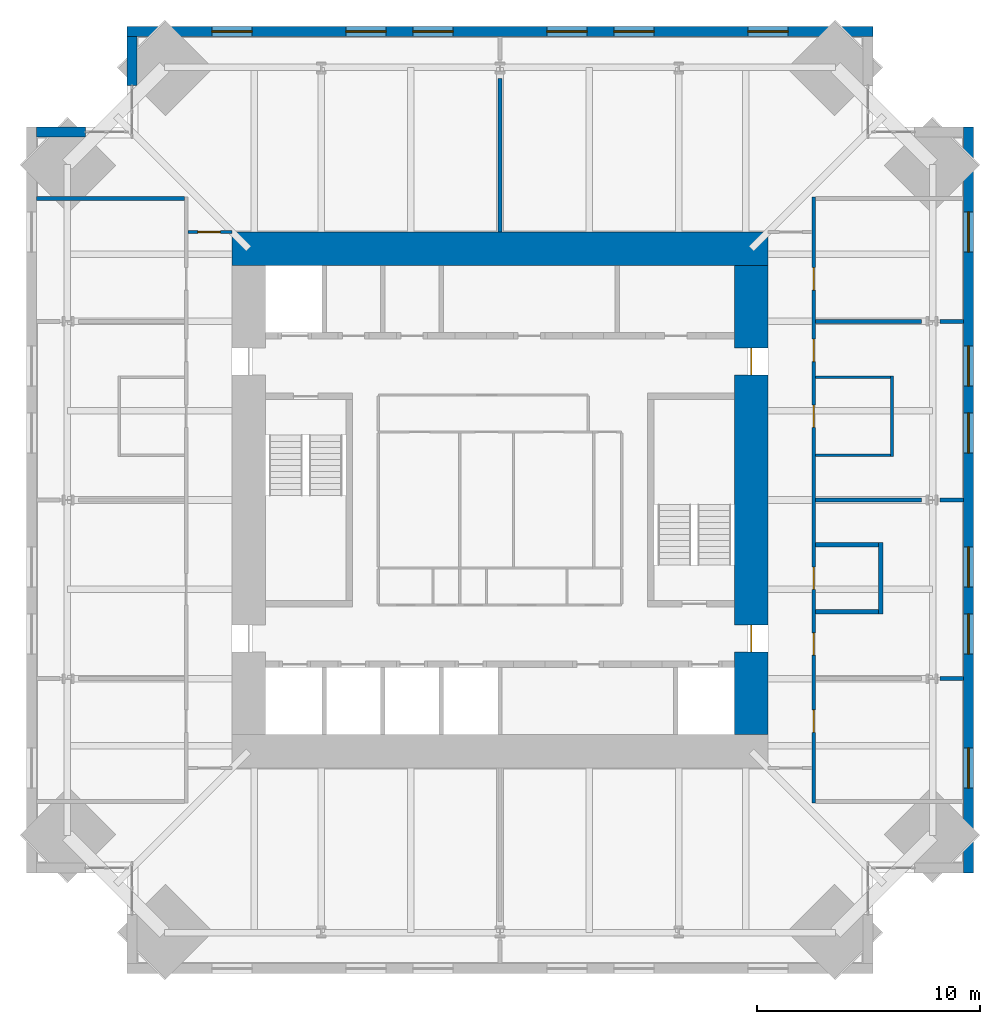
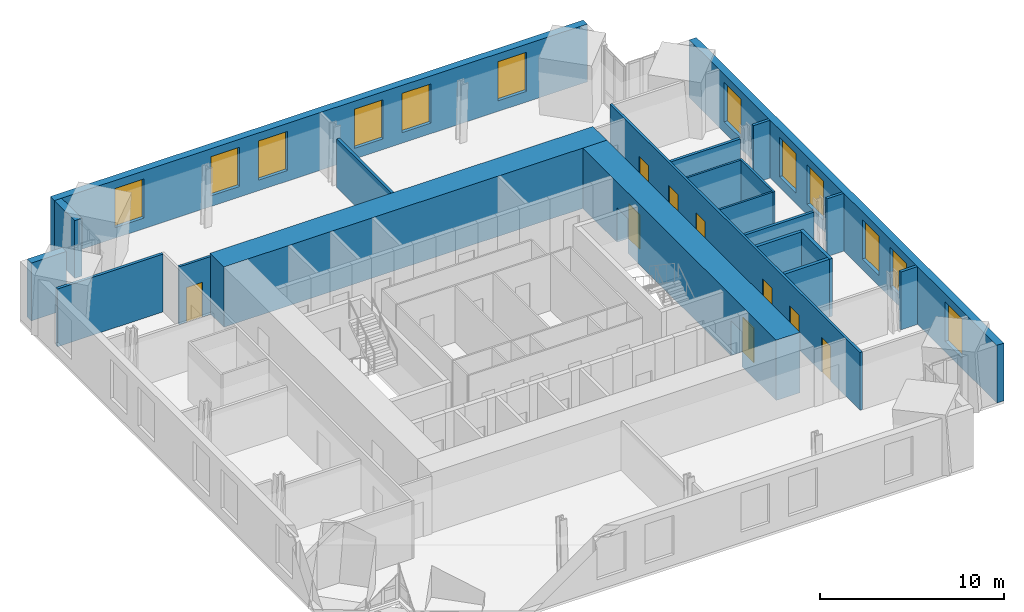
# One storey, part 13 of 15: 21 walls, 12 windows, 9 doors, 21 openings.
"""IFC4 building model written with IfcOpenShell, lengths in metres."""

from ifc_helpers import new_model, si_unit, direction, frame, frame_2d, origin, place, context, subcontext, project, spatial, rectangle, extrude, material, layer, layer_set, type_object, element, fill, save


model = new_model("IFC4")

# Units and contexts
model_context = context("Model", 3, precision=1e-05, world=origin(), true_north=direction((0.0, 1.0)))
body_context = subcontext(model_context, "Body", "Model", "MODEL_VIEW")
ifc_project = project(units=[si_unit("LENGTHUNIT", "METRE"), si_unit("AREAUNIT", "SQUARE_METRE"), si_unit("VOLUMEUNIT", "CUBIC_METRE"), si_unit("PLANEANGLEUNIT", "RADIAN"), si_unit("MASSUNIT", "GRAM", prefix="KILO")], contexts=[model_context])

# Site, building, storey
site_placement = place(None, origin())
site = spatial("IfcSite", under=ifc_project, at=site_placement, CompositionType="ELEMENT")
building_placement = place(site_placement, origin())
building = spatial("IfcBuilding", under=site, at=building_placement, Name="Peilmerk Tower", CompositionType="ELEMENT")
storey_placement = place(building_placement, frame((0.0, 0.0, 285.800048828125)))
storey = spatial("IfcBuildingStorey", under=building, at=storey_placement, Name="L64", CompositionType="ELEMENT", Elevation=285.800048828125)

# Wall, openings, windows
ifc_material_1 = material(Name="Precast concrete C45/55, board-marked finish", Category="concrete")
ifc_layer_1 = layer(ifc_material_1, 0.449951171875)
ifc_layer_set_1 = layer_set([ifc_layer_1], Name="Precast concrete C45/55, board-marked finish")
wall_type_1 = type_object("IfcWallType", Name="EW1 450 precast concrete facade wall, board-marked", PredefinedType="SOLIDWALL", material=ifc_layer_set_1)
wall_1_placement = place(storey_placement, frame((16.699951171875, 20.97509765625, 0.0), z_axis=(0.0, 0.0, 1.0), x_axis=(-1.0, 0.0, 0.0)))
wall_1 = element("IfcWall", 1, at=wall_1_placement, inside=storey, type_object=wall_type_1, Name="Facade wall N L64", PredefinedType="SOLIDWALL", context=body_context, shape_type="SweptSolid", body=[
    extrude(rectangle(XDim=33.39990234375, YDim=0.449951171875, at=frame_2d((16.699951171875, 0.0))), origin(), (0.0, 0.0, 1.0), 3.829833984375),
])
opening_1_placement = place(wall_1_placement, frame((3.800048828125, 0.0, 0.699951171875)))
opening_1 = element("IfcOpeningElement", 2, at=opening_1_placement, cuts=wall_1, Name="Opening W1", PredefinedType="OPENING", context=body_context, shape_type="SweptSolid", body=[
    extrude(rectangle(XDim=1.800048828125, YDim=2.60009765625, at=frame_2d((0.89990234375, 1.300048828125))), frame((0.0, 0.23486328125, 0.0), z_axis=(0.0, -1.0, 0.0), x_axis=(1.0, 0.0, 0.0)), (0.0, 0.0, 1.0), 0.469970703125),
])
opening_2_placement = place(wall_1_placement, frame((9.800048828125, 0.0, 0.699951171875)))
opening_2 = element("IfcOpeningElement", 3, at=opening_2_placement, cuts=wall_1, Name="Opening W1", PredefinedType="OPENING", context=body_context, shape_type="SweptSolid", body=[
    extrude(rectangle(XDim=1.800048828125, YDim=2.60009765625, at=frame_2d((0.89990234375, 1.300048828125))), frame((0.0, 0.23486328125, 0.0), z_axis=(0.0, -1.0, 0.0), x_axis=(1.0, 0.0, 0.0)), (0.0, 0.0, 1.0), 0.469970703125),
])
opening_3_placement = place(wall_1_placement, frame((12.800048828125, 0.0, 0.699951171875)))
opening_3 = element("IfcOpeningElement", 4, at=opening_3_placement, cuts=wall_1, Name="Opening W1", PredefinedType="OPENING", context=body_context, shape_type="SweptSolid", body=[
    extrude(rectangle(XDim=1.800048828125, YDim=2.60009765625, at=frame_2d((0.89990234375, 1.300048828125))), frame((0.0, 0.23486328125, 0.0), z_axis=(0.0, -1.0, 0.0), x_axis=(1.0, 0.0, 0.0)), (0.0, 0.0, 1.0), 0.469970703125),
])
opening_4_placement = place(wall_1_placement, frame((18.800048828125, 0.0, 0.699951171875)))
opening_4 = element("IfcOpeningElement", 5, at=opening_4_placement, cuts=wall_1, Name="Opening W1", PredefinedType="OPENING", context=body_context, shape_type="SweptSolid", body=[
    extrude(rectangle(XDim=1.800048828125, YDim=2.60009765625, at=frame_2d((0.89990234375, 1.300048828125))), frame((0.0, 0.23486328125, 0.0), z_axis=(0.0, -1.0, 0.0), x_axis=(1.0, 0.0, 0.0)), (0.0, 0.0, 1.0), 0.469970703125),
])
opening_5_placement = place(wall_1_placement, frame((21.800048828125, 0.0, 0.699951171875)))
opening_5 = element("IfcOpeningElement", 6, at=opening_5_placement, cuts=wall_1, Name="Opening W1", PredefinedType="OPENING", context=body_context, shape_type="SweptSolid", body=[
    extrude(rectangle(XDim=1.800048828125, YDim=2.60009765625, at=frame_2d((0.89990234375, 1.300048828125))), frame((0.0, 0.23486328125, 0.0), z_axis=(0.0, -1.0, 0.0), x_axis=(1.0, 0.0, 0.0)), (0.0, 0.0, 1.0), 0.469970703125),
])
opening_6_placement = place(wall_1_placement, frame((27.800048828125, 0.0, 0.699951171875)))
opening_6 = element("IfcOpeningElement", 7, at=opening_6_placement, cuts=wall_1, Name="Opening W1", PredefinedType="OPENING", context=body_context, shape_type="SweptSolid", body=[
    extrude(rectangle(XDim=1.800048828125, YDim=2.60009765625, at=frame_2d((0.89990234375, 1.300048828125))), frame((0.0, 0.23486328125, 0.0), z_axis=(0.0, -1.0, 0.0), x_axis=(1.0, 0.0, 0.0)), (0.0, 0.0, 1.0), 0.469970703125),
])
ifc_material_2 = material(Name="Aluminium frame, clear double glazing", Category="aluminium")
window_type = type_object("IfcWindowType", Name="W1 1800x2600 office window", PartitioningType="SINGLE_PANEL", PredefinedType="WINDOW", material=ifc_material_2)
window_1_placement = place(opening_1_placement, origin())
window_1 = element("IfcWindow", 8, at=window_1_placement, inside=storey, type_object=window_type, Name="Window W1 L64", OverallHeight=2.60009765625, OverallWidth=1.800048828125, PartitioningType="SINGLE_PANEL", PredefinedType="WINDOW", context=body_context, shape_type="SweptSolid", body=[
    extrude(rectangle(XDim=1.800048828125, YDim=2.60009765625, at=frame_2d((0.89990234375, 1.300048828125))), frame((0.0, 0.030029296875, 0.0), z_axis=(0.0, -1.0, 0.0), x_axis=(1.0, 0.0, 0.0)), (0.0, 0.0, 1.0), 0.06005859375),
])
fill(opening_1, window_1)
window_2_placement = place(opening_2_placement, origin())
window_2 = element("IfcWindow", 9, at=window_2_placement, inside=storey, type_object=window_type, Name="Window W1 L64", OverallHeight=2.60009765625, OverallWidth=1.800048828125, PartitioningType="SINGLE_PANEL", PredefinedType="WINDOW", context=body_context, shape_type="SweptSolid", body=[
    extrude(rectangle(XDim=1.800048828125, YDim=2.60009765625, at=frame_2d((0.89990234375, 1.300048828125))), frame((0.0, 0.030029296875, 0.0), z_axis=(0.0, -1.0, 0.0), x_axis=(1.0, 0.0, 0.0)), (0.0, 0.0, 1.0), 0.06005859375),
])
fill(opening_2, window_2)
window_3_placement = place(opening_3_placement, origin())
window_3 = element("IfcWindow", 10, at=window_3_placement, inside=storey, type_object=window_type, Name="Window W1 L64", OverallHeight=2.60009765625, OverallWidth=1.800048828125, PartitioningType="SINGLE_PANEL", PredefinedType="WINDOW", context=body_context, shape_type="SweptSolid", body=[
    extrude(rectangle(XDim=1.800048828125, YDim=2.60009765625, at=frame_2d((0.89990234375, 1.300048828125))), frame((0.0, 0.030029296875, 0.0), z_axis=(0.0, -1.0, 0.0), x_axis=(1.0, 0.0, 0.0)), (0.0, 0.0, 1.0), 0.06005859375),
])
fill(opening_3, window_3)
window_4_placement = place(opening_4_placement, origin())
window_4 = element("IfcWindow", 11, at=window_4_placement, inside=storey, type_object=window_type, Name="Window W1 L64", OverallHeight=2.60009765625, OverallWidth=1.800048828125, PartitioningType="SINGLE_PANEL", PredefinedType="WINDOW", context=body_context, shape_type="SweptSolid", body=[
    extrude(rectangle(XDim=1.800048828125, YDim=2.60009765625, at=frame_2d((0.89990234375, 1.300048828125))), frame((0.0, 0.030029296875, 0.0), z_axis=(0.0, -1.0, 0.0), x_axis=(1.0, 0.0, 0.0)), (0.0, 0.0, 1.0), 0.06005859375),
])
fill(opening_4, window_4)
window_5_placement = place(opening_5_placement, origin())
window_5 = element("IfcWindow", 12, at=window_5_placement, inside=storey, type_object=window_type, Name="Window W1 L64", OverallHeight=2.60009765625, OverallWidth=1.800048828125, PartitioningType="SINGLE_PANEL", PredefinedType="WINDOW", context=body_context, shape_type="SweptSolid", body=[
    extrude(rectangle(XDim=1.800048828125, YDim=2.60009765625, at=frame_2d((0.89990234375, 1.300048828125))), frame((0.0, 0.030029296875, 0.0), z_axis=(0.0, -1.0, 0.0), x_axis=(1.0, 0.0, 0.0)), (0.0, 0.0, 1.0), 0.06005859375),
])
fill(opening_5, window_5)
window_6_placement = place(opening_6_placement, origin())
window_6 = element("IfcWindow", 13, at=window_6_placement, inside=storey, type_object=window_type, Name="Window W1 L64", OverallHeight=2.60009765625, OverallWidth=1.800048828125, PartitioningType="SINGLE_PANEL", PredefinedType="WINDOW", context=body_context, shape_type="SweptSolid", body=[
    extrude(rectangle(XDim=1.800048828125, YDim=2.60009765625, at=frame_2d((0.89990234375, 1.300048828125))), frame((0.0, 0.030029296875, 0.0), z_axis=(0.0, -1.0, 0.0), x_axis=(1.0, 0.0, 0.0)), (0.0, 0.0, 1.0), 0.06005859375),
])
fill(opening_6, window_6)

wall_2_placement = place(storey_placement, frame((20.97509765625, -16.699951171875, 0.0), z_axis=(0.0, 0.0, 1.0), x_axis=(0.0, 1.0, 0.0)))
wall_2 = element("IfcWall", 14, at=wall_2_placement, inside=storey, type_object=wall_type_1, Name="Facade wall E L64", PredefinedType="SOLIDWALL", context=body_context, shape_type="SweptSolid", body=[
    extrude(rectangle(XDim=33.39990234375, YDim=0.449951171875, at=frame_2d((16.699951171875, 0.0))), origin(), (0.0, 0.0, 1.0), 3.829833984375),
])
opening_7_placement = place(wall_2_placement, frame((3.800048828125, 0.0, 0.699951171875)))
opening_7 = element("IfcOpeningElement", 15, at=opening_7_placement, cuts=wall_2, Name="Opening W1", PredefinedType="OPENING", context=body_context, shape_type="SweptSolid", body=[
    extrude(rectangle(XDim=1.800048828125, YDim=2.60009765625, at=frame_2d((0.89990234375, 1.300048828125))), frame((0.0, 0.23486328125, 0.0), z_axis=(0.0, -1.0, 0.0), x_axis=(1.0, 0.0, 0.0)), (0.0, 0.0, 1.0), 0.469970703125),
])
opening_8_placement = place(wall_2_placement, frame((9.800048828125, 0.0, 0.699951171875)))
opening_8 = element("IfcOpeningElement", 16, at=opening_8_placement, cuts=wall_2, Name="Opening W1", PredefinedType="OPENING", context=body_context, shape_type="SweptSolid", body=[
    extrude(rectangle(XDim=1.800048828125, YDim=2.60009765625, at=frame_2d((0.89990234375, 1.300048828125))), frame((0.0, 0.23486328125, 0.0), z_axis=(0.0, -1.0, 0.0), x_axis=(1.0, 0.0, 0.0)), (0.0, 0.0, 1.0), 0.469970703125),
])
opening_9_placement = place(wall_2_placement, frame((12.800048828125, 0.0, 0.699951171875)))
opening_9 = element("IfcOpeningElement", 17, at=opening_9_placement, cuts=wall_2, Name="Opening W1", PredefinedType="OPENING", context=body_context, shape_type="SweptSolid", body=[
    extrude(rectangle(XDim=1.800048828125, YDim=2.60009765625, at=frame_2d((0.89990234375, 1.300048828125))), frame((0.0, 0.23486328125, 0.0), z_axis=(0.0, -1.0, 0.0), x_axis=(1.0, 0.0, 0.0)), (0.0, 0.0, 1.0), 0.469970703125),
])
opening_10_placement = place(wall_2_placement, frame((18.800048828125, 0.0, 0.699951171875)))
opening_10 = element("IfcOpeningElement", 18, at=opening_10_placement, cuts=wall_2, Name="Opening W1", PredefinedType="OPENING", context=body_context, shape_type="SweptSolid", body=[
    extrude(rectangle(XDim=1.800048828125, YDim=2.60009765625, at=frame_2d((0.89990234375, 1.300048828125))), frame((0.0, 0.23486328125, 0.0), z_axis=(0.0, -1.0, 0.0), x_axis=(1.0, 0.0, 0.0)), (0.0, 0.0, 1.0), 0.469970703125),
])
opening_11_placement = place(wall_2_placement, frame((21.800048828125, 0.0, 0.699951171875)))
opening_11 = element("IfcOpeningElement", 19, at=opening_11_placement, cuts=wall_2, Name="Opening W1", PredefinedType="OPENING", context=body_context, shape_type="SweptSolid", body=[
    extrude(rectangle(XDim=1.800048828125, YDim=2.60009765625, at=frame_2d((0.89990234375, 1.300048828125))), frame((0.0, 0.23486328125, 0.0), z_axis=(0.0, -1.0, 0.0), x_axis=(1.0, 0.0, 0.0)), (0.0, 0.0, 1.0), 0.469970703125),
])
opening_12_placement = place(wall_2_placement, frame((27.800048828125, 0.0, 0.699951171875)))
opening_12 = element("IfcOpeningElement", 20, at=opening_12_placement, cuts=wall_2, Name="Opening W1", PredefinedType="OPENING", context=body_context, shape_type="SweptSolid", body=[
    extrude(rectangle(XDim=1.800048828125, YDim=2.60009765625, at=frame_2d((0.89990234375, 1.300048828125))), frame((0.0, 0.23486328125, 0.0), z_axis=(0.0, -1.0, 0.0), x_axis=(1.0, 0.0, 0.0)), (0.0, 0.0, 1.0), 0.469970703125),
])
window_7_placement = place(opening_7_placement, origin())
window_7 = element("IfcWindow", 21, at=window_7_placement, inside=storey, type_object=window_type, Name="Window W1 L64", OverallHeight=2.60009765625, OverallWidth=1.800048828125, PartitioningType="SINGLE_PANEL", PredefinedType="WINDOW", context=body_context, shape_type="SweptSolid", body=[
    extrude(rectangle(XDim=1.800048828125, YDim=2.60009765625, at=frame_2d((0.89990234375, 1.300048828125))), frame((0.0, 0.030029296875, 0.0), z_axis=(0.0, -1.0, 0.0), x_axis=(1.0, 0.0, 0.0)), (0.0, 0.0, 1.0), 0.06005859375),
])
fill(opening_7, window_7)
window_8_placement = place(opening_8_placement, origin())
window_8 = element("IfcWindow", 22, at=window_8_placement, inside=storey, type_object=window_type, Name="Window W1 L64", OverallHeight=2.60009765625, OverallWidth=1.800048828125, PartitioningType="SINGLE_PANEL", PredefinedType="WINDOW", context=body_context, shape_type="SweptSolid", body=[
    extrude(rectangle(XDim=1.800048828125, YDim=2.60009765625, at=frame_2d((0.89990234375, 1.300048828125))), frame((0.0, 0.030029296875, 0.0), z_axis=(0.0, -1.0, 0.0), x_axis=(1.0, 0.0, 0.0)), (0.0, 0.0, 1.0), 0.06005859375),
])
fill(opening_8, window_8)
window_9_placement = place(opening_9_placement, origin())
window_9 = element("IfcWindow", 23, at=window_9_placement, inside=storey, type_object=window_type, Name="Window W1 L64", OverallHeight=2.60009765625, OverallWidth=1.800048828125, PartitioningType="SINGLE_PANEL", PredefinedType="WINDOW", context=body_context, shape_type="SweptSolid", body=[
    extrude(rectangle(XDim=1.800048828125, YDim=2.60009765625, at=frame_2d((0.89990234375, 1.300048828125))), frame((0.0, 0.030029296875, 0.0), z_axis=(0.0, -1.0, 0.0), x_axis=(1.0, 0.0, 0.0)), (0.0, 0.0, 1.0), 0.06005859375),
])
fill(opening_9, window_9)
window_10_placement = place(opening_10_placement, origin())
window_10 = element("IfcWindow", 24, at=window_10_placement, inside=storey, type_object=window_type, Name="Window W1 L64", OverallHeight=2.60009765625, OverallWidth=1.800048828125, PartitioningType="SINGLE_PANEL", PredefinedType="WINDOW", context=body_context, shape_type="SweptSolid", body=[
    extrude(rectangle(XDim=1.800048828125, YDim=2.60009765625, at=frame_2d((0.89990234375, 1.300048828125))), frame((0.0, 0.030029296875, 0.0), z_axis=(0.0, -1.0, 0.0), x_axis=(1.0, 0.0, 0.0)), (0.0, 0.0, 1.0), 0.06005859375),
])
fill(opening_10, window_10)
window_11_placement = place(opening_11_placement, origin())
window_11 = element("IfcWindow", 25, at=window_11_placement, inside=storey, type_object=window_type, Name="Window W1 L64", OverallHeight=2.60009765625, OverallWidth=1.800048828125, PartitioningType="SINGLE_PANEL", PredefinedType="WINDOW", context=body_context, shape_type="SweptSolid", body=[
    extrude(rectangle(XDim=1.800048828125, YDim=2.60009765625, at=frame_2d((0.89990234375, 1.300048828125))), frame((0.0, 0.030029296875, 0.0), z_axis=(0.0, -1.0, 0.0), x_axis=(1.0, 0.0, 0.0)), (0.0, 0.0, 1.0), 0.06005859375),
])
fill(opening_11, window_11)
window_12_placement = place(opening_12_placement, origin())
window_12 = element("IfcWindow", 26, at=window_12_placement, inside=storey, type_object=window_type, Name="Window W1 L64", OverallHeight=2.60009765625, OverallWidth=1.800048828125, PartitioningType="SINGLE_PANEL", PredefinedType="WINDOW", context=body_context, shape_type="SweptSolid", body=[
    extrude(rectangle(XDim=1.800048828125, YDim=2.60009765625, at=frame_2d((0.89990234375, 1.300048828125))), frame((0.0, 0.030029296875, 0.0), z_axis=(0.0, -1.0, 0.0), x_axis=(1.0, 0.0, 0.0)), (0.0, 0.0, 1.0), 0.06005859375),
])
fill(opening_12, window_12)

# Walls
for number, where, z_axis, x_axis, name in (
    (27, (-16.47509765625, 18.5537109375, 0.0), (0.0, 0.0, 1.0), (0.0, 1.0, 0.0), "Facade wall NWA L64"),
    (28, (-18.5537109375, 16.47509765625, 0.0), (0.0, 0.0, 1.0), (-1.0, 0.0, 0.0), "Facade wall NWB L64"),
):
    element("IfcWall", number, at=place(storey_placement, frame(where, z_axis=z_axis, x_axis=x_axis)), inside=storey, type_object=wall_type_1, Name=name, PredefinedType="SOLIDWALL", context=body_context, shape_type="SweptSolid", body=[
        extrude(rectangle(XDim=2.1962890625, YDim=0.449951171875, at=frame_2d((1.09814453125, 0.0))), origin(), (0.0, 0.0, 1.0), 3.829833984375),
    ])

# Wall, openings, doors
ifc_material_3 = material(Name="Calcium silicate block", Category="masonry")
ifc_layer_2 = layer(ifc_material_3, 0.14990234375)
ifc_layer_set_2 = layer_set([ifc_layer_2], Name="Calcium silicate block")
wall_type_2 = type_object("IfcWallType", Name="IW1 150 corridor partition, EI 60", PredefinedType="PARTITIONING", material=ifc_layer_set_2)
wall_3_placement = place(storey_placement, frame((14.050048828125, -13.574951171875, 0.0), z_axis=(0.0, 0.0, 1.0), x_axis=(0.0, 1.0, 0.0)))
wall_3 = element("IfcWall", 29, at=wall_3_placement, inside=storey, type_object=wall_type_2, Name="Corridor wall E L64", PredefinedType="PARTITIONING", context=body_context, shape_type="SweptSolid", body=[
    extrude(rectangle(XDim=27.14990234375, YDim=0.14990234375, at=frame_2d((13.574951171875, 0.0))), origin(), (0.0, 0.0, 1.0), 3.829833984375),
])
opening_13_placement = place(wall_3_placement, frame((3.175048828125, 0.0, 0.0)))
opening_13 = element("IfcOpeningElement", 30, at=opening_13_placement, cuts=wall_3, Name="Opening D1", PredefinedType="OPENING", context=body_context, shape_type="SweptSolid", body=[
    extrude(rectangle(XDim=1.0, YDim=2.300048828125, at=frame_2d((0.5, 1.14990234375))), frame((0.0, 0.0849609375, 0.0), z_axis=(0.0, -1.0, 0.0), x_axis=(1.0, 0.0, 0.0)), (0.0, 0.0, 1.0), 0.169921875),
])
opening_14_placement = place(wall_3_placement, frame((6.625, 0.0, 0.0)))
opening_14 = element("IfcOpeningElement", 31, at=opening_14_placement, cuts=wall_3, Name="Opening D1", PredefinedType="OPENING", context=body_context, shape_type="SweptSolid", body=[
    extrude(rectangle(XDim=1.0, YDim=2.300048828125, at=frame_2d((0.5, 1.14990234375))), frame((0.0, 0.0849609375, 0.0), z_axis=(0.0, -1.0, 0.0), x_axis=(1.0, 0.0, 0.0)), (0.0, 0.0, 1.0), 0.169921875),
])
opening_15_placement = place(wall_3_placement, frame((19.77490234375, 0.0, 0.0)))
opening_15 = element("IfcOpeningElement", 32, at=opening_15_placement, cuts=wall_3, Name="Opening D1", PredefinedType="OPENING", context=body_context, shape_type="SweptSolid", body=[
    extrude(rectangle(XDim=1.0, YDim=2.300048828125, at=frame_2d((0.5, 1.14990234375))), frame((0.0, 0.0849609375, 0.0), z_axis=(0.0, -1.0, 0.0), x_axis=(1.0, 0.0, 0.0)), (0.0, 0.0, 1.0), 0.169921875),
])
opening_16_placement = place(wall_3_placement, frame((22.97509765625, 0.0, 0.0)))
opening_16 = element("IfcOpeningElement", 33, at=opening_16_placement, cuts=wall_3, Name="Opening D1", PredefinedType="OPENING", context=body_context, shape_type="SweptSolid", body=[
    extrude(rectangle(XDim=1.0, YDim=2.300048828125, at=frame_2d((0.5, 1.14990234375))), frame((0.0, 0.0849609375, 0.0), z_axis=(0.0, -1.0, 0.0), x_axis=(1.0, 0.0, 0.0)), (0.0, 0.0, 1.0), 0.169921875),
])
opening_17_placement = place(wall_3_placement, frame((16.824951171875, 0.0, 0.0)))
opening_17 = element("IfcOpeningElement", 34, at=opening_17_placement, cuts=wall_3, Name="Opening D1", PredefinedType="OPENING", context=body_context, shape_type="SweptSolid", body=[
    extrude(rectangle(XDim=1.0, YDim=2.300048828125, at=frame_2d((0.5, 1.14990234375))), frame((0.0, 0.0849609375, 0.0), z_axis=(0.0, -1.0, 0.0), x_axis=(1.0, 0.0, 0.0)), (0.0, 0.0, 1.0), 0.169921875),
])
opening_18_placement = place(wall_3_placement, frame((9.574951171875, 0.0, 0.0)))
opening_18 = element("IfcOpeningElement", 35, at=opening_18_placement, cuts=wall_3, Name="Opening D1", PredefinedType="OPENING", context=body_context, shape_type="SweptSolid", body=[
    extrude(rectangle(XDim=1.0, YDim=2.300048828125, at=frame_2d((0.5, 1.14990234375))), frame((0.0, 0.0849609375, 0.0), z_axis=(0.0, -1.0, 0.0), x_axis=(1.0, 0.0, 0.0)), (0.0, 0.0, 1.0), 0.169921875),
])
ifc_material_4 = material(Name="Timber door in steel frame", Category="steel")
door_type_1 = type_object("IfcDoorType", Name="D1 1000x2300 room door, EI2 30", OperationType="SINGLE_SWING_LEFT", PredefinedType="DOOR", material=ifc_material_4)
door_1_placement = place(opening_13_placement, frame((1.0, 0.0, 0.0), z_axis=(0.0, 0.0, 1.0), x_axis=(-1.0, 0.0, 0.0)))
door_1 = element("IfcDoor", 36, at=door_1_placement, inside=storey, type_object=door_type_1, Name="Door Executive office L64", OperationType="SINGLE_SWING_LEFT", OverallHeight=2.300048828125, OverallWidth=1.0, PredefinedType="DOOR", context=body_context, shape_type="SweptSolid", body=[
    extrude(rectangle(XDim=1.0, YDim=2.300048828125, at=frame_2d((0.5, 1.14990234375))), frame((0.0, 0.02490234375, 0.0), z_axis=(0.0, -1.0, 0.0), x_axis=(1.0, 0.0, 0.0)), (0.0, 0.0, 1.0), 0.050048828125),
])
fill(opening_13, door_1)
door_2_placement = place(opening_14_placement, frame((1.0, 0.0, 0.0), z_axis=(0.0, 0.0, 1.0), x_axis=(-1.0, 0.0, 0.0)))
door_2 = element("IfcDoor", 37, at=door_2_placement, inside=storey, type_object=door_type_1, Name="Door Executive office L64", OperationType="SINGLE_SWING_LEFT", OverallHeight=2.300048828125, OverallWidth=1.0, PredefinedType="DOOR", context=body_context, shape_type="SweptSolid", body=[
    extrude(rectangle(XDim=1.0, YDim=2.300048828125, at=frame_2d((0.5, 1.14990234375))), frame((0.0, 0.02490234375, 0.0), z_axis=(0.0, -1.0, 0.0), x_axis=(1.0, 0.0, 0.0)), (0.0, 0.0, 1.0), 0.050048828125),
])
fill(opening_14, door_2)
door_3_placement = place(opening_15_placement, frame((1.0, 0.0, 0.0), z_axis=(0.0, 0.0, 1.0), x_axis=(-1.0, 0.0, 0.0)))
door_3 = element("IfcDoor", 38, at=door_3_placement, inside=storey, type_object=door_type_1, Name="Door Executive office L64", OperationType="SINGLE_SWING_LEFT", OverallHeight=2.300048828125, OverallWidth=1.0, PredefinedType="DOOR", context=body_context, shape_type="SweptSolid", body=[
    extrude(rectangle(XDim=1.0, YDim=2.300048828125, at=frame_2d((0.5, 1.14990234375))), frame((0.0, 0.02490234375, 0.0), z_axis=(0.0, -1.0, 0.0), x_axis=(1.0, 0.0, 0.0)), (0.0, 0.0, 1.0), 0.050048828125),
])
fill(opening_15, door_3)
door_4_placement = place(opening_16_placement, frame((1.0, 0.0, 0.0), z_axis=(0.0, 0.0, 1.0), x_axis=(-1.0, 0.0, 0.0)))
door_4 = element("IfcDoor", 39, at=door_4_placement, inside=storey, type_object=door_type_1, Name="Door Executive office L64", OperationType="SINGLE_SWING_LEFT", OverallHeight=2.300048828125, OverallWidth=1.0, PredefinedType="DOOR", context=body_context, shape_type="SweptSolid", body=[
    extrude(rectangle(XDim=1.0, YDim=2.300048828125, at=frame_2d((0.5, 1.14990234375))), frame((0.0, 0.02490234375, 0.0), z_axis=(0.0, -1.0, 0.0), x_axis=(1.0, 0.0, 0.0)), (0.0, 0.0, 1.0), 0.050048828125),
])
fill(opening_16, door_4)
door_5_placement = place(opening_17_placement, frame((1.0, 0.0, 0.0), z_axis=(0.0, 0.0, 1.0), x_axis=(-1.0, 0.0, 0.0)))
door_5 = element("IfcDoor", 40, at=door_5_placement, inside=storey, type_object=door_type_1, Name="Door Meeting room L64", OperationType="SINGLE_SWING_LEFT", OverallHeight=2.300048828125, OverallWidth=1.0, PredefinedType="DOOR", context=body_context, shape_type="SweptSolid", body=[
    extrude(rectangle(XDim=1.0, YDim=2.300048828125, at=frame_2d((0.5, 1.14990234375))), frame((0.0, 0.02490234375, 0.0), z_axis=(0.0, -1.0, 0.0), x_axis=(1.0, 0.0, 0.0)), (0.0, 0.0, 1.0), 0.050048828125),
])
fill(opening_17, door_5)
door_6_placement = place(opening_18_placement, frame((1.0, 0.0, 0.0), z_axis=(0.0, 0.0, 1.0), x_axis=(-1.0, 0.0, 0.0)))
door_6 = element("IfcDoor", 41, at=door_6_placement, inside=storey, type_object=door_type_1, Name="Door Print room L64", OperationType="SINGLE_SWING_LEFT", OverallHeight=2.300048828125, OverallWidth=1.0, PredefinedType="DOOR", context=body_context, shape_type="SweptSolid", body=[
    extrude(rectangle(XDim=1.0, YDim=2.300048828125, at=frame_2d((0.5, 1.14990234375))), frame((0.0, 0.02490234375, 0.0), z_axis=(0.0, -1.0, 0.0), x_axis=(1.0, 0.0, 0.0)), (0.0, 0.0, 1.0), 0.050048828125),
])
fill(opening_18, door_6)

# Wall, opening, door
wall_4_placement = place(storey_placement, frame((-13.97509765625, 12.0, 0.0), z_axis=(0.0, 0.0, 1.0), x_axis=(1.0, 0.0, 0.0)))
wall_4 = element("IfcWall", 42, at=wall_4_placement, inside=storey, type_object=wall_type_2, Name="Corridor wall NW L64", PredefinedType="PARTITIONING", context=body_context, shape_type="SweptSolid", body=[
    extrude(rectangle(XDim=1.97509765625, YDim=0.14990234375, at=frame_2d((0.987548828125, 0.0))), origin(), (0.0, 0.0, 1.0), 3.829833984375),
])
opening_19_placement = place(wall_4_placement, frame((0.449951171875, 0.0, 0.0)))
opening_19 = element("IfcOpeningElement", 43, at=opening_19_placement, cuts=wall_4, Name="Opening D1", PredefinedType="OPENING", context=body_context, shape_type="SweptSolid", body=[
    extrude(rectangle(XDim=1.0, YDim=2.300048828125, at=frame_2d((0.5, 1.14990234375))), frame((0.0, 0.0849609375, 0.0), z_axis=(0.0, -1.0, 0.0), x_axis=(1.0, 0.0, 0.0)), (0.0, 0.0, 1.0), 0.169921875),
])
door_7_placement = place(opening_19_placement, origin())
door_7 = element("IfcDoor", 44, at=door_7_placement, inside=storey, type_object=door_type_1, Name="Door Office L64", OperationType="SINGLE_SWING_LEFT", OverallHeight=2.300048828125, OverallWidth=1.0, PredefinedType="DOOR", context=body_context, shape_type="SweptSolid", body=[
    extrude(rectangle(XDim=1.0, YDim=2.300048828125, at=frame_2d((0.5, 1.14990234375))), frame((0.0, 0.02490234375, 0.0), z_axis=(0.0, -1.0, 0.0), x_axis=(1.0, 0.0, 0.0)), (0.0, 0.0, 1.0), 0.050048828125),
])
fill(opening_19, door_7)

# Walls
ifc_layer_3 = layer(ifc_material_3, 0.199951171875)
ifc_layer_set_3 = layer_set([ifc_layer_3], Name="Calcium silicate block")
wall_type_3 = type_object("IfcWallType", Name="IW2 200 room separating wall, EI 120", PredefinedType="PARTITIONING", material=ifc_layer_set_3)
wall_5_placement = place(storey_placement, frame((17.050048828125, -5.10009765625, 0.0), z_axis=(0.0, 0.0, 1.0), x_axis=(0.0, 1.0, 0.0)))
element("IfcWall", 45, at=wall_5_placement, inside=storey, type_object=wall_type_3, Name="Room separating wall Print room L64", PredefinedType="PARTITIONING", context=body_context, shape_type="SweptSolid", body=[
    extrude(rectangle(XDim=3.2001953125, YDim=0.199951171875, at=frame_2d((1.60009765625, 0.0))), origin(), (0.0, 0.0, 1.0), 3.829833984375),
])
for number, where, z_axis, x_axis, name in (
    (46, (14.125, -5.0, 0.0), (0.0, 0.0, 1.0), (1.0, 0.0, 0.0), "Room separating wall Print room L64"),
    (47, (14.125, -2.0, 0.0), (0.0, 0.0, 1.0), (1.0, 0.0, 0.0), "Room separating wall Print room L64"),
):
    element("IfcWall", number, at=place(storey_placement, frame(where, z_axis=z_axis, x_axis=x_axis)), inside=storey, type_object=wall_type_3, Name=name, PredefinedType="PARTITIONING", context=body_context, shape_type="SweptSolid", body=[
        extrude(rectangle(XDim=2.824951171875, YDim=0.199951171875, at=frame_2d((1.41259765625, 0.0))), origin(), (0.0, 0.0, 1.0), 3.829833984375),
    ])
ifc_material_5 = material(Name="Plasterboard on steel studs, double boarded with mineral wool", Category="steel")
ifc_layer_4 = layer(ifc_material_5, 0.125)
ifc_layer_set_4 = layer_set([ifc_layer_4], Name="Plasterboard on steel studs, double boarded with mineral wool")
wall_type_4 = type_object("IfcWallType", Name="IW7 125 acoustic partition, EI 30", PredefinedType="PARTITIONING", material=ifc_layer_set_4)
wall_6_placement = place(storey_placement, frame((17.550048828125, 1.9375, 0.0), z_axis=(0.0, 0.0, 1.0), x_axis=(0.0, 1.0, 0.0)))
element("IfcWall", 48, at=wall_6_placement, inside=storey, type_object=wall_type_4, Name="Acoustic partition Meeting room L64", PredefinedType="PARTITIONING", context=body_context, shape_type="SweptSolid", body=[
    extrude(rectangle(XDim=3.625, YDim=0.125, at=frame_2d((1.8125, 0.0))), origin(), (0.0, 0.0, 1.0), 3.829833984375),
])
for number, where, z_axis, x_axis, name in (
    (49, (14.125, 2.0, 0.0), (0.0, 0.0, 1.0), (1.0, 0.0, 0.0), "Acoustic partition Meeting room L64"),
    (50, (14.125, 5.5, 0.0), (0.0, 0.0, 1.0), (1.0, 0.0, 0.0), "Acoustic partition Meeting room L64"),
):
    element("IfcWall", number, at=place(storey_placement, frame(where, z_axis=z_axis, x_axis=x_axis)), inside=storey, type_object=wall_type_4, Name=name, PredefinedType="PARTITIONING", context=body_context, shape_type="SweptSolid", body=[
        extrude(rectangle(XDim=3.362548828125, YDim=0.125, at=frame_2d((1.68115234375, 0.0))), origin(), (0.0, 0.0, 1.0), 3.829833984375),
    ])
ifc_layer_5 = layer(ifc_material_3, 0.175048828125)
ifc_layer_set_5 = layer_set([ifc_layer_5], Name="Calcium silicate block")
wall_type_5 = type_object("IfcWallType", Name="IW8 175 tenant separating wall, EI 60", PredefinedType="PARTITIONING", material=ifc_layer_set_5)
wall_7_placement = place(storey_placement, frame((-20.75, 13.5, 0.0), z_axis=(0.0, 0.0, 1.0), x_axis=(1.0, 0.0, 0.0)))
element("IfcWall", 51, at=wall_7_placement, inside=storey, type_object=wall_type_5, Name="Tenant separating wall NW L64", PredefinedType="PARTITIONING", context=body_context, shape_type="SweptSolid", body=[
    extrude(rectangle(XDim=6.625, YDim=0.175048828125, at=frame_2d((3.3125, 0.0))), origin(), (0.0, 0.0, 1.0), 3.829833984375),
])
wall_8_placement = place(storey_placement, frame((0.0, 12.0, 0.0), z_axis=(0.0, 0.0, 1.0), x_axis=(0.0, 1.0, 0.0)))
element("IfcWall", 52, at=wall_8_placement, inside=storey, type_object=wall_type_5, Name="Tenant separating wall N1 L64", PredefinedType="PARTITIONING", context=body_context, shape_type="SweptSolid", body=[
    extrude(rectangle(XDim=6.881591796875, YDim=0.175048828125, at=frame_2d((3.44091796875, 0.0))), origin(), (0.0, 0.0, 1.0), 3.239990234375),
])
wall_9_placement = place(storey_placement, frame((19.7021484375, -8.0, 0.0), z_axis=(0.0, 0.0, 1.0), x_axis=(1.0, 0.0, 0.0)))
element("IfcWall", 53, at=wall_9_placement, inside=storey, type_object=wall_type_5, Name="Tenant separating wall E1b L64", PredefinedType="PARTITIONING", context=body_context, shape_type="SweptSolid", body=[
    extrude(rectangle(XDim=1.0478515625, YDim=0.175048828125, at=frame_2d((0.52392578125, 0.0))), origin(), (0.0, 0.0, 1.0), 3.829833984375),
])
wall_10_placement = place(storey_placement, frame((14.125, 0.0, 0.0), z_axis=(0.0, 0.0, 1.0), x_axis=(1.0, 0.0, 0.0)))
element("IfcWall", 54, at=wall_10_placement, inside=storey, type_object=wall_type_5, Name="Tenant separating wall E2 L64", PredefinedType="PARTITIONING", context=body_context, shape_type="SweptSolid", body=[
    extrude(rectangle(XDim=4.756591796875, YDim=0.175048828125, at=frame_2d((2.37841796875, 0.0))), origin(), (0.0, 0.0, 1.0), 3.239990234375),
])
wall_11_placement = place(storey_placement, frame((19.7021484375, 0.0, 0.0), z_axis=(0.0, 0.0, 1.0), x_axis=(1.0, 0.0, 0.0)))
element("IfcWall", 55, at=wall_11_placement, inside=storey, type_object=wall_type_5, Name="Tenant separating wall E2b L64", PredefinedType="PARTITIONING", context=body_context, shape_type="SweptSolid", body=[
    extrude(rectangle(XDim=1.0478515625, YDim=0.175048828125, at=frame_2d((0.52392578125, 0.0))), origin(), (0.0, 0.0, 1.0), 3.829833984375),
])
wall_12_placement = place(storey_placement, frame((14.125, 8.0, 0.0), z_axis=(0.0, 0.0, 1.0), x_axis=(1.0, 0.0, 0.0)))
element("IfcWall", 56, at=wall_12_placement, inside=storey, type_object=wall_type_5, Name="Tenant separating wall E3 L64", PredefinedType="PARTITIONING", context=body_context, shape_type="SweptSolid", body=[
    extrude(rectangle(XDim=4.756591796875, YDim=0.175048828125, at=frame_2d((2.37841796875, 0.0))), origin(), (0.0, 0.0, 1.0), 3.239990234375),
])
wall_13_placement = place(storey_placement, frame((19.7021484375, 8.0, 0.0), z_axis=(0.0, 0.0, 1.0), x_axis=(1.0, 0.0, 0.0)))
element("IfcWall", 57, at=wall_13_placement, inside=storey, type_object=wall_type_5, Name="Tenant separating wall E3b L64", PredefinedType="PARTITIONING", context=body_context, shape_type="SweptSolid", body=[
    extrude(rectangle(XDim=1.0478515625, YDim=0.175048828125, at=frame_2d((0.52392578125, 0.0))), origin(), (0.0, 0.0, 1.0), 3.829833984375),
])
ifc_material_6 = material(Name="Concrete C55/67", Category="concrete")
ifc_layer_6 = layer(ifc_material_6, 1.5)
ifc_layer_set_6 = layer_set([ifc_layer_6], Name="Concrete C55/67")
wall_type_6 = type_object("IfcWallType", Name="SW1 1500 core wall", PredefinedType="SHEAR", material=ifc_layer_set_6)
wall_14_placement = place(storey_placement, frame((-12.0, 11.25, 0.0), z_axis=(0.0, 0.0, 1.0), x_axis=(1.0, 0.0, 0.0)))
element("IfcWall", 58, at=wall_14_placement, inside=storey, type_object=wall_type_6, Name="Core wall N L64", PredefinedType="SHEAR", context=body_context, shape_type="SweptSolid", body=[
    extrude(rectangle(XDim=24.0, YDim=1.5, at=frame_2d((12.0, 0.0))), origin(), (0.0, 0.0, 1.0), 4.0),
])

# Wall, openings, doors
wall_15_placement = place(storey_placement, frame((11.25, 10.5, 0.0), z_axis=(0.0, 0.0, 1.0), x_axis=(0.0, -1.0, 0.0)))
wall_15 = element("IfcWall", 59, at=wall_15_placement, inside=storey, type_object=wall_type_6, Name="Core wall E L64", PredefinedType="SHEAR", context=body_context, shape_type="SweptSolid", body=[
    extrude(rectangle(XDim=21.0, YDim=1.5, at=frame_2d((10.5, 0.0))), origin(), (0.0, 0.0, 1.0), 4.0),
])
opening_20_placement = place(wall_15_placement, frame((3.699951171875, 0.0, 0.0)))
opening_20 = element("IfcOpeningElement", 60, at=opening_20_placement, cuts=wall_15, Name="Opening D3", PredefinedType="OPENING", context=body_context, shape_type="SweptSolid", body=[
    extrude(rectangle(XDim=1.199951171875, YDim=2.300048828125, at=frame_2d((0.60009765625, 1.14990234375))), frame((0.0, 0.760009765625, 0.0), z_axis=(0.0, -1.0, 0.0), x_axis=(1.0, 0.0, 0.0)), (0.0, 0.0, 1.0), 1.52001953125),
])
opening_21_placement = place(wall_15_placement, frame((16.10009765625, 0.0, 0.0)))
opening_21 = element("IfcOpeningElement", 61, at=opening_21_placement, cuts=wall_15, Name="Opening D3", PredefinedType="OPENING", context=body_context, shape_type="SweptSolid", body=[
    extrude(rectangle(XDim=1.199951171875, YDim=2.300048828125, at=frame_2d((0.60009765625, 1.14990234375))), frame((0.0, 0.760009765625, 0.0), z_axis=(0.0, -1.0, 0.0), x_axis=(1.0, 0.0, 0.0)), (0.0, 0.0, 1.0), 1.52001953125),
])
ifc_material_7 = material(Name="Steel door in steel frame", Category="steel")
door_type_2 = type_object("IfcDoorType", Name="D3 1200x2300 core door, EI2 60", OperationType="SINGLE_SWING_LEFT", PredefinedType="DOOR", material=ifc_material_7)
door_8_placement = place(opening_20_placement, frame((1.199951171875, 0.0, 0.0), z_axis=(0.0, 0.0, 1.0), x_axis=(-1.0, 0.0, 0.0)))
door_8 = element("IfcDoor", 62, at=door_8_placement, inside=storey, type_object=door_type_2, Name="Core door L64", OperationType="SINGLE_SWING_LEFT", OverallHeight=2.300048828125, OverallWidth=1.199951171875, PredefinedType="DOOR", context=body_context, shape_type="SweptSolid", body=[
    extrude(rectangle(XDim=1.199951171875, YDim=2.300048828125, at=frame_2d((0.60009765625, 1.14990234375))), frame((0.0, 0.02490234375, 0.0), z_axis=(0.0, -1.0, 0.0), x_axis=(1.0, 0.0, 0.0)), (0.0, 0.0, 1.0), 0.050048828125),
])
fill(opening_20, door_8)
door_9_placement = place(opening_21_placement, frame((1.199951171875, 0.0, 0.0), z_axis=(0.0, 0.0, 1.0), x_axis=(-1.0, 0.0, 0.0)))
door_9 = element("IfcDoor", 63, at=door_9_placement, inside=storey, type_object=door_type_2, Name="Core door L64", OperationType="SINGLE_SWING_LEFT", OverallHeight=2.300048828125, OverallWidth=1.199951171875, PredefinedType="DOOR", context=body_context, shape_type="SweptSolid", body=[
    extrude(rectangle(XDim=1.199951171875, YDim=2.300048828125, at=frame_2d((0.60009765625, 1.14990234375))), frame((0.0, 0.02490234375, 0.0), z_axis=(0.0, -1.0, 0.0), x_axis=(1.0, 0.0, 0.0)), (0.0, 0.0, 1.0), 0.050048828125),
])
fill(opening_21, door_9)

save(model, "model.ifc")
